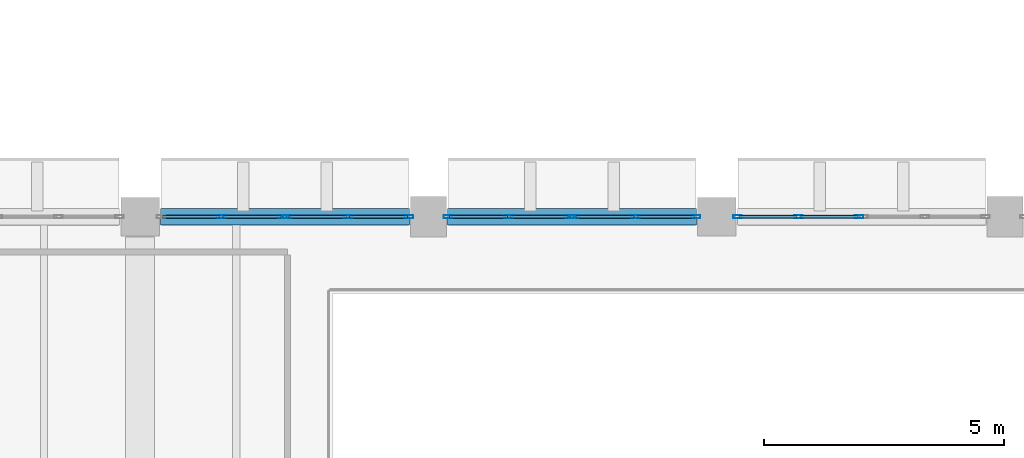
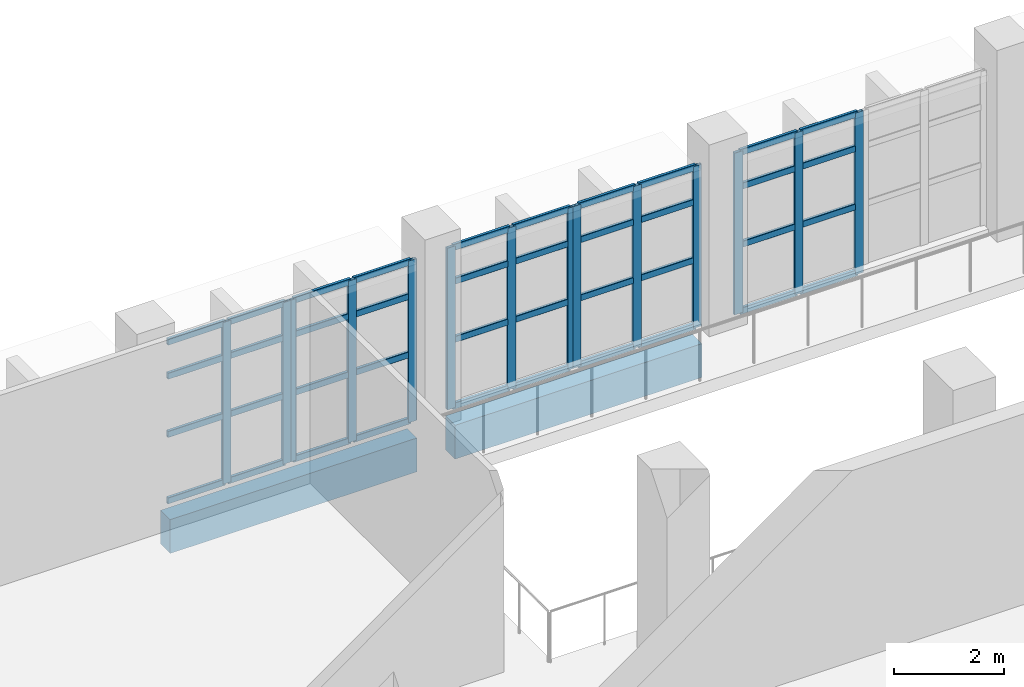
# One storey, part 38 of 76: 54 members, 2 beams, 5 elements without a shape of their own.
"""IFC4 building model written with IfcOpenShell, lengths in metres."""

import ifcopenshell
import ifcopenshell.guid

model = None  # the IFC model being written
_history = None  # IfcOwnerHistory: only IFC2X3 demands one
_inside = {}  # id of a spatial element -> (the spatial element, [elements in it])
_under = {}  # id of a project, library or spatial element -> (it, [spatial elements below it])
_declared = {}  # id of a project -> (the project, [libraries it declares])
_typed = {}  # id of a type object -> (the type object, [elements of that type])
_made_of = {}  # id of a material, layer set ... -> (it, [elements and type objects made of it])


def new_model(schema):
    """Start an empty IFC model of exactly this schema.

    Asked for "IFC4X3", IfcOpenShell would pick the latest addendum, in which some entities
    have other attributes; the version numbers below select the first issue.
    IFC2X3 requires an IfcOwnerHistory on every rooted entity: one is made here for all.
    """
    global model, _history
    if schema == "IFC4X3":
        model = ifcopenshell.file(schema_version=(4, 3, 0, 0))
    else:
        model = ifcopenshell.file(schema=schema)
    _inside.clear()
    _under.clear()
    _declared.clear()
    _typed.clear()
    _made_of.clear()
    _history = None
    if model.schema == "IFC2X3":
        org = make("IfcOrganization", Name="unknown")
        user = make(
            "IfcPersonAndOrganization",
            ThePerson=make("IfcPerson", FamilyName="unknown"),
            TheOrganization=org,
        )
        app = make(
            "IfcApplication",
            ApplicationDeveloper=org,
            Version="unknown",
            ApplicationFullName="unknown",
            ApplicationIdentifier="unknown",
        )
        _history = make(
            "IfcOwnerHistory",
            OwningUser=user,
            OwningApplication=app,
            ChangeAction="ADDED",
            CreationDate=0,
        )
    return model


def make(cls, **values):
    """One entity of the class cls with the attributes given. An attribute that is None is left unset."""
    return model.create_entity(
        cls, **{name: value for name, value in values.items() if value is not None}
    )


def rooted(cls, **values):
    """An entity with a GlobalId (a new one), such as an element, a storey or a relation."""
    return make(cls, GlobalId=ifcopenshell.guid.new(), OwnerHistory=_history, **values)


def si_unit(unit_type, name, prefix=None):
    """IfcSIUnit, for example si_unit("LENGTHUNIT", "METRE", prefix="MILLI")."""
    return make("IfcSIUnit", UnitType=unit_type, Prefix=prefix, Name=name)


def assignment(units):
    """IfcUnitAssignment: the units of a project."""
    return None if units is None else make("IfcUnitAssignment", Units=units)


def point(xyz):
    """IfcCartesianPoint."""
    return None if xyz is None else make("IfcCartesianPoint", Coordinates=xyz)


def direction(xyz):
    """IfcDirection."""
    return None if xyz is None else make("IfcDirection", DirectionRatios=xyz)


def frame(location, z_axis=None, x_axis=None):
    """IfcAxis2Placement3D, a coordinate frame: its origin and axes. An axis left out is left unset."""
    return make(
        "IfcAxis2Placement3D",
        Location=point(location),
        Axis=direction(z_axis),
        RefDirection=direction(x_axis),
    )


def frame_2d(location, x_axis=None):
    """IfcAxis2Placement2D, a coordinate frame in the plane: its origin and x axis."""
    return make(
        "IfcAxis2Placement2D", Location=point(location), RefDirection=direction(x_axis)
    )


def origin():
    """The frame at (0, 0, 0) with its axes left unset."""
    return frame((0.0, 0.0, 0.0))


def origin_2d():
    """The frame at (0, 0) in the plane with its x axis left unset."""
    return frame_2d((0.0, 0.0))


def place(relative_to, where):
    """IfcLocalPlacement: puts the frame where relative to a parent placement (None: the world)."""
    return make(
        "IfcLocalPlacement", PlacementRelTo=relative_to, RelativePlacement=where
    )


def context(
    kind, dimensions, precision=None, world=None, true_north=None, identifier=None
):
    """IfcGeometricRepresentationContext, for example the 3D "Model" context."""
    return make(
        "IfcGeometricRepresentationContext",
        ContextIdentifier=identifier,
        ContextType=kind,
        CoordinateSpaceDimension=dimensions,
        Precision=precision,
        WorldCoordinateSystem=world,
        TrueNorth=true_north,
    )


def subcontext(parent, identifier, kind, view, scale=None):
    """IfcGeometricRepresentationSubContext, for example "Body" below "Model"."""
    return make(
        "IfcGeometricRepresentationSubContext",
        ContextIdentifier=identifier,
        ContextType=kind,
        ParentContext=parent,
        TargetScale=scale,
        TargetView=view,
    )


def project(units=None, contexts=None):
    """IfcProject with its units and contexts."""
    return rooted(
        "IfcProject",
        Name="project",
        RepresentationContexts=contexts,
        UnitsInContext=assignment(units),
    )


def spatial(cls, under=None, at=None, **own):
    """A site, building, storey or space (cls), placed at a placement, below another one or the project."""
    s = rooted(cls, ObjectPlacement=at, **own)
    if under is not None:
        _under.setdefault(under.id(), (under, []))[1].append(s)
    return s


def profile(cls, at=None, kind="AREA", **sizes):
    """A parametric profile (cls). Its sizes go by their IFC names, for example OverallWidth=200.0."""
    return make(cls, ProfileType=kind, Position=at, **sizes)


def rectangle(**sizes):
    """IfcRectangleProfileDef."""
    return profile("IfcRectangleProfileDef", **sizes)


def hollow_rectangle(**sizes):
    """IfcRectangleHollowProfileDef."""
    return profile("IfcRectangleHollowProfileDef", **sizes)


def extrude(swept, where, along, depth):
    """IfcExtrudedAreaSolid: the profile swept, set in the frame where, extruded along a direction by depth."""
    return make(
        "IfcExtrudedAreaSolid",
        SweptArea=swept,
        Position=where,
        ExtrudedDirection=direction(along),
        Depth=depth,
    )


def shape(context_of_items, identifier, shape_type, items):
    """IfcShapeRepresentation: the items that make up one representation, for example the "Body"."""
    return make(
        "IfcShapeRepresentation",
        ContextOfItems=context_of_items,
        RepresentationIdentifier=identifier,
        RepresentationType=shape_type,
        Items=items,
    )


def material(Name=None, Category=None):
    """IfcMaterial."""
    return make("IfcMaterial", Name=Name, Category=Category)


def material_profile(
    of_material, cross_section, Name=None, Category=None, Priority=None
):
    """IfcMaterialProfile: a cross section and its material."""
    return make(
        "IfcMaterialProfile",
        Name=Name,
        Material=of_material,
        Profile=cross_section,
        Priority=Priority,
        Category=Category,
    )


def profile_set(profiles, Name=None, composite=None):
    """IfcMaterialProfileSet."""
    return make(
        "IfcMaterialProfileSet",
        Name=Name,
        MaterialProfiles=profiles,
        CompositeProfile=composite,
    )


def made_of(thing, what):
    """Note that an element or type object is made of a material, layer set ...; save() writes the relation."""
    if what is not None:
        _made_of.setdefault(what.id(), (what, []))[1].append(thing)
    return thing


def type_object(cls, material=None, **own):
    """A type object (cls), such as IfcWallType, which elements share."""
    return made_of(rooted(cls, **own), material)


def element(
    cls,
    number,
    at=None,
    inside=None,
    cuts=None,
    type_object=None,
    material=None,
    context=None,
    identifier="Body",
    shape_type=None,
    held_by="IfcProductDefinitionShape",
    body=None,
    shapes=None,
    **own,
):
    """One element of the class cls, such as IfcWall. Its Tag is "e" and its number.

    at: its placement. inside: the storey or other place that contains it. cuts: it is an
    opening in that element (IfcRelVoidsElement). A single representation is given by context,
    identifier, shape_type and body (its items); several are given by shapes. held_by: the class
    of the entity that holds the representations. save() writes the other relations.
    """
    e = rooted(cls, Tag="e%d" % number, ObjectPlacement=at, **own)
    if body is not None:
        shapes = [shape(context, identifier, shape_type, body)]
    if shapes is not None:
        e.Representation = make(held_by, Representations=shapes)
    if inside is not None:
        _inside.setdefault(inside.id(), (inside, []))[1].append(e)
    if cuts is not None:
        rooted(
            "IfcRelVoidsElement", RelatingBuildingElement=cuts, RelatedOpeningElement=e
        )
    if type_object is not None:
        _typed.setdefault(type_object.id(), (type_object, []))[1].append(e)
    return made_of(e, material)


def aggregate(whole, parts):
    """IfcRelAggregates: a whole, such as a stair, and the parts it consists of."""
    return rooted("IfcRelAggregates", RelatingObject=whole, RelatedObjects=parts)


def save(model, path):
    """Write the relations noted so far, then the file.

    IfcRelAggregates (storeys below a building ...), IfcRelContainedInSpatialStructure (elements
    in a storey), IfcRelDefinesByType, IfcRelAssociatesMaterial and IfcRelDeclares: one each for
    every whole, place, type object, material and project.
    """
    for whole, parts in _under.values():
        aggregate(whole, parts)
    for where, things in _inside.values():
        rooted(
            "IfcRelContainedInSpatialStructure",
            RelatedElements=things,
            RelatingStructure=where,
        )
    for kind, things in _typed.values():
        rooted("IfcRelDefinesByType", RelatedObjects=things, RelatingType=kind)
    for what, things in _made_of.values():
        rooted("IfcRelAssociatesMaterial", RelatedObjects=things, RelatingMaterial=what)
    for by, libraries in _declared.values():
        rooted("IfcRelDeclares", RelatingContext=by, RelatedDefinitions=libraries)
    model.write(path)


model = new_model("IFC4")

# Units and contexts
model_context = context("Model", 3, precision=1e-05, world=origin(), true_north=direction((0.0, 1.0)))
body_context = subcontext(model_context, "Body", "Model", "MODEL_VIEW")
ifc_project = project(units=[si_unit("LENGTHUNIT", "METRE"), si_unit("AREAUNIT", "SQUARE_METRE"), si_unit("VOLUMEUNIT", "CUBIC_METRE"), si_unit("PLANEANGLEUNIT", "RADIAN"), si_unit("MASSUNIT", "GRAM", prefix="KILO")], contexts=[model_context])

# Site, building, storey
site_placement = place(None, origin())
site = spatial("IfcSite", under=ifc_project, at=site_placement, CompositionType="ELEMENT")
building_placement = place(site_placement, origin())
building = spatial("IfcBuilding", under=site, at=building_placement, Name="Varnakota Cinema and Media Centre", CompositionType="ELEMENT")
storey_placement = place(building_placement, origin())
storey = spatial("IfcBuildingStorey", under=building, at=storey_placement, Name="L00", CompositionType="ELEMENT", Elevation=0.0)

# Beams
ifc_material_1 = material(Name="Concrete M40", Category="concrete")
ifc_material_profile_1 = material_profile(ifc_material_1, rectangle(XDim=0.35009765625, YDim=0.75, at=origin_2d()), Name="RCB 350x750")
ifc_profile_set_1 = profile_set([ifc_material_profile_1], Name="Concrete M40")
beam_type = type_object("IfcBeamType", Name="BM-SP-350x750", PredefinedType="SPANDREL", material=ifc_profile_set_1)
for number, where, z_axis, x_axis, name in (
    (1, (111.425048828125, 44.0, -0.655029296875), (1.0, 0.0, 0.0), (0.0, 1.0, 0.0), "L00 girder R-S/6"),
    (2, (117.39990234375, 44.0, -0.655029296875), (1.0, 0.0, 0.0), (0.0, 1.0, 0.0), "L00 girder S-T/6"),
):
    element("IfcBeam", number, at=place(storey_placement, frame(where, z_axis=z_axis, x_axis=x_axis)), inside=storey, type_object=beam_type, Name=name, PredefinedType="SPANDREL", context=body_context, shape_type="SweptSolid", body=[
        extrude(rectangle(XDim=0.35009765625, YDim=0.75, at=origin_2d()), origin(), (0.0, 0.0, 1.0), 5.175048828125),
    ])

# Curtain wall, members
ifc_material_2 = material(Name="Thermally broken anodised aluminium AW-6063", Category="aluminium")
curtain_wall_type = type_object("IfcCurtainWallType", Name="CW-STD-259x358", PredefinedType="USERDEFINED", material=ifc_material_2)
curtain_wall_1_placement = place(storey_placement, origin())
curtain_wall_1 = element("IfcCurtainWall", 3, at=curtain_wall_1_placement, inside=storey, type_object=curtain_wall_type, Name="L00 curtain wall CW-L00-V1-N-07-1", ObjectType="UNITISED CURTAIN WALL", PredefinedType="USERDEFINED")
ifc_material_3 = material(Name="Thermally broken anodised aluminium AW-6063", Category="aluminium")
ifc_material_profile_2 = material_profile(ifc_material_3, hollow_rectangle(XDim=0.06494140625, YDim=0.179931640625, WallThickness=0.00390625, InnerFilletRadius=0.00390625, OuterFilletRadius=0.008056640625, at=origin_2d()), Name="AL-MULLION 180x65x4")
ifc_profile_set_2 = profile_set([ifc_material_profile_2], Name="Thermally broken anodised aluminium AW-6063")
member_type_1 = type_object("IfcMemberType", Name="CWM-AL-180", PredefinedType="MULLION", material=ifc_profile_set_2)
member_1_placement = place(storey_placement, frame((112.6962890625, 44.0, 0.0), z_axis=(0.0, 0.0, 1.0), x_axis=(0.0, 1.0, 0.0)))
member_1 = element("IfcMember", 4, at=member_1_placement, type_object=member_type_1, Name="CW06 mullion 2", PredefinedType="MULLION", context=body_context, shape_type="SweptSolid", body=[
    extrude(hollow_rectangle(XDim=0.06494140625, YDim=0.179931640625, WallThickness=0.00390625, InnerFilletRadius=0.00390625, OuterFilletRadius=0.008056640625, at=origin_2d()), origin(), (0.0, 0.0, 1.0), 3.5849609375),
])
member_2_placement = place(storey_placement, frame((113.9599609375, 44.0, 0.0), z_axis=(0.0, 0.0, 1.0), x_axis=(0.0, 1.0, 0.0)))
member_2 = element("IfcMember", 5, at=member_2_placement, type_object=member_type_1, Name="CW06 mullion 3", PredefinedType="MULLION", context=body_context, shape_type="SweptSolid", body=[
    extrude(hollow_rectangle(XDim=0.06494140625, YDim=0.179931640625, WallThickness=0.00390625, InnerFilletRadius=0.00390625, OuterFilletRadius=0.008056640625, at=origin_2d()), origin(), (0.0, 0.0, 1.0), 3.5849609375),
])

curtain_wall_2_placement = place(storey_placement, origin())
curtain_wall_2 = element("IfcCurtainWall", 6, at=curtain_wall_2_placement, inside=storey, type_object=curtain_wall_type, Name="L00 curtain wall CW-L00-V1-N-07-2", ObjectType="UNITISED CURTAIN WALL", PredefinedType="USERDEFINED")
member_3_placement = place(storey_placement, frame((114.06494140625, 44.0, 0.0), z_axis=(0.0, 0.0, 1.0), x_axis=(0.0, 1.0, 0.0)))
member_3 = element("IfcMember", 7, at=member_3_placement, type_object=member_type_1, Name="CW06 mullion 1", PredefinedType="MULLION", context=body_context, shape_type="SweptSolid", body=[
    extrude(hollow_rectangle(XDim=0.06494140625, YDim=0.179931640625, WallThickness=0.00390625, InnerFilletRadius=0.00390625, OuterFilletRadius=0.008056640625, at=origin_2d()), origin(), (0.0, 0.0, 1.0), 3.5849609375),
])
member_4_placement = place(storey_placement, frame((115.328857421875, 44.0, 0.0), z_axis=(0.0, 0.0, 1.0), x_axis=(0.0, 1.0, 0.0)))
member_4 = element("IfcMember", 8, at=member_4_placement, type_object=member_type_1, Name="CW06 mullion 2", PredefinedType="MULLION", context=body_context, shape_type="SweptSolid", body=[
    extrude(hollow_rectangle(XDim=0.06494140625, YDim=0.179931640625, WallThickness=0.00390625, InnerFilletRadius=0.00390625, OuterFilletRadius=0.008056640625, at=origin_2d()), origin(), (0.0, 0.0, 1.0), 3.5849609375),
])
member_5_placement = place(storey_placement, frame((116.592529296875, 44.0, 0.0), z_axis=(0.0, 0.0, 1.0), x_axis=(0.0, 1.0, 0.0)))
member_5 = element("IfcMember", 9, at=member_5_placement, type_object=member_type_1, Name="CW06 mullion 3", PredefinedType="MULLION", context=body_context, shape_type="SweptSolid", body=[
    extrude(hollow_rectangle(XDim=0.06494140625, YDim=0.179931640625, WallThickness=0.00390625, InnerFilletRadius=0.00390625, OuterFilletRadius=0.008056640625, at=origin_2d()), origin(), (0.0, 0.0, 1.0), 3.5849609375),
])

curtain_wall_3_placement = place(storey_placement, origin())
curtain_wall_3 = element("IfcCurtainWall", 10, at=curtain_wall_3_placement, inside=storey, type_object=curtain_wall_type, Name="L00 curtain wall CW-L00-V1-N-08-1", ObjectType="UNITISED CURTAIN WALL", PredefinedType="USERDEFINED")
member_6_placement = place(storey_placement, frame((117.407470703125, 44.0, 0.0), z_axis=(0.0, 0.0, 1.0), x_axis=(0.0, 1.0, 0.0)))
member_6 = element("IfcMember", 11, at=member_6_placement, type_object=member_type_1, Name="CW06 mullion 1", PredefinedType="MULLION", context=body_context, shape_type="SweptSolid", body=[
    extrude(hollow_rectangle(XDim=0.06494140625, YDim=0.179931640625, WallThickness=0.00390625, InnerFilletRadius=0.00390625, OuterFilletRadius=0.008056640625, at=origin_2d()), origin(), (0.0, 0.0, 1.0), 3.5849609375),
])
member_7_placement = place(storey_placement, frame((118.671142578125, 44.0, 0.0), z_axis=(0.0, 0.0, 1.0), x_axis=(0.0, 1.0, 0.0)))
member_7 = element("IfcMember", 12, at=member_7_placement, type_object=member_type_1, Name="CW06 mullion 2", PredefinedType="MULLION", context=body_context, shape_type="SweptSolid", body=[
    extrude(hollow_rectangle(XDim=0.06494140625, YDim=0.179931640625, WallThickness=0.00390625, InnerFilletRadius=0.00390625, OuterFilletRadius=0.008056640625, at=origin_2d()), origin(), (0.0, 0.0, 1.0), 3.5849609375),
])
member_8_placement = place(storey_placement, frame((119.93505859375, 44.0, 0.0), z_axis=(0.0, 0.0, 1.0), x_axis=(0.0, 1.0, 0.0)))
member_8 = element("IfcMember", 13, at=member_8_placement, type_object=member_type_1, Name="CW06 mullion 3", PredefinedType="MULLION", context=body_context, shape_type="SweptSolid", body=[
    extrude(hollow_rectangle(XDim=0.06494140625, YDim=0.179931640625, WallThickness=0.00390625, InnerFilletRadius=0.00390625, OuterFilletRadius=0.008056640625, at=origin_2d()), origin(), (0.0, 0.0, 1.0), 3.5849609375),
])

curtain_wall_4_placement = place(storey_placement, origin())
curtain_wall_4 = element("IfcCurtainWall", 14, at=curtain_wall_4_placement, inside=storey, type_object=curtain_wall_type, Name="L00 curtain wall CW-L00-V1-N-08-2", ObjectType="UNITISED CURTAIN WALL", PredefinedType="USERDEFINED")
member_9_placement = place(storey_placement, frame((120.0400390625, 44.0, 0.0), z_axis=(0.0, 0.0, 1.0), x_axis=(0.0, 1.0, 0.0)))
member_9 = element("IfcMember", 15, at=member_9_placement, type_object=member_type_1, Name="CW06 mullion 1", PredefinedType="MULLION", context=body_context, shape_type="SweptSolid", body=[
    extrude(hollow_rectangle(XDim=0.06494140625, YDim=0.179931640625, WallThickness=0.00390625, InnerFilletRadius=0.00390625, OuterFilletRadius=0.008056640625, at=origin_2d()), origin(), (0.0, 0.0, 1.0), 3.5849609375),
])
member_10_placement = place(storey_placement, frame((121.3037109375, 44.0, 0.0), z_axis=(0.0, 0.0, 1.0), x_axis=(0.0, 1.0, 0.0)))
member_10 = element("IfcMember", 16, at=member_10_placement, type_object=member_type_1, Name="CW06 mullion 2", PredefinedType="MULLION", context=body_context, shape_type="SweptSolid", body=[
    extrude(hollow_rectangle(XDim=0.06494140625, YDim=0.179931640625, WallThickness=0.00390625, InnerFilletRadius=0.00390625, OuterFilletRadius=0.008056640625, at=origin_2d()), origin(), (0.0, 0.0, 1.0), 3.5849609375),
])
member_11_placement = place(storey_placement, frame((122.5673828125, 44.0, 0.0), z_axis=(0.0, 0.0, 1.0), x_axis=(0.0, 1.0, 0.0)))
member_11 = element("IfcMember", 17, at=member_11_placement, type_object=member_type_1, Name="CW06 mullion 3", PredefinedType="MULLION", context=body_context, shape_type="SweptSolid", body=[
    extrude(hollow_rectangle(XDim=0.06494140625, YDim=0.179931640625, WallThickness=0.00390625, InnerFilletRadius=0.00390625, OuterFilletRadius=0.008056640625, at=origin_2d()), origin(), (0.0, 0.0, 1.0), 3.5849609375),
])

curtain_wall_5_placement = place(storey_placement, origin())
curtain_wall_5 = element("IfcCurtainWall", 18, at=curtain_wall_5_placement, inside=storey, type_object=curtain_wall_type, Name="L00 curtain wall CW-L00-V1-N-09-1", ObjectType="UNITISED CURTAIN WALL", PredefinedType="USERDEFINED")
member_12_placement = place(storey_placement, frame((123.4326171875, 44.0, 0.0), z_axis=(0.0, 0.0, 1.0), x_axis=(0.0, 1.0, 0.0)))
member_12 = element("IfcMember", 19, at=member_12_placement, type_object=member_type_1, Name="CW06 mullion 1", PredefinedType="MULLION", context=body_context, shape_type="SweptSolid", body=[
    extrude(hollow_rectangle(XDim=0.06494140625, YDim=0.179931640625, WallThickness=0.00390625, InnerFilletRadius=0.00390625, OuterFilletRadius=0.008056640625, at=origin_2d()), origin(), (0.0, 0.0, 1.0), 3.5849609375),
])
member_13_placement = place(storey_placement, frame((124.6962890625, 44.0, 0.0), z_axis=(0.0, 0.0, 1.0), x_axis=(0.0, 1.0, 0.0)))
member_13 = element("IfcMember", 20, at=member_13_placement, type_object=member_type_1, Name="CW06 mullion 2", PredefinedType="MULLION", context=body_context, shape_type="SweptSolid", body=[
    extrude(hollow_rectangle(XDim=0.06494140625, YDim=0.179931640625, WallThickness=0.00390625, InnerFilletRadius=0.00390625, OuterFilletRadius=0.008056640625, at=origin_2d()), origin(), (0.0, 0.0, 1.0), 3.5849609375),
])
member_14_placement = place(storey_placement, frame((125.9599609375, 44.0, 0.0), z_axis=(0.0, 0.0, 1.0), x_axis=(0.0, 1.0, 0.0)))
member_14 = element("IfcMember", 21, at=member_14_placement, type_object=member_type_1, Name="CW06 mullion 3", PredefinedType="MULLION", context=body_context, shape_type="SweptSolid", body=[
    extrude(hollow_rectangle(XDim=0.06494140625, YDim=0.179931640625, WallThickness=0.00390625, InnerFilletRadius=0.00390625, OuterFilletRadius=0.008056640625, at=origin_2d()), origin(), (0.0, 0.0, 1.0), 3.5849609375),
])

# Member
ifc_material_4 = material(Name="Thermally broken anodised aluminium AW-6063", Category="aluminium")
ifc_material_profile_3 = material_profile(ifc_material_4, hollow_rectangle(XDim=0.06494140625, YDim=0.139892578125, WallThickness=0.00390625, InnerFilletRadius=0.00390625, OuterFilletRadius=0.008056640625, at=origin_2d()), Name="AL-TRANSOM 140x65x4")
ifc_profile_set_3 = profile_set([ifc_material_profile_3], Name="Thermally broken anodised aluminium AW-6063")
member_type_2 = type_object("IfcMemberType", Name="CWT-AL-140", PredefinedType="USERDEFINED", material=ifc_profile_set_3)
member_15_placement = place(storey_placement, frame((111.465087890625, 44.0, 0.032470703125), z_axis=(1.0, 0.0, 0.0), x_axis=(0.0, 1.0, 0.0)))
member_15 = element("IfcMember", 22, at=member_15_placement, type_object=member_type_2, Name="CW06 transom 1.1", ObjectType="TRANSOM", PredefinedType="USERDEFINED", context=body_context, shape_type="SweptSolid", body=[
    extrude(hollow_rectangle(XDim=0.06494140625, YDim=0.139892578125, WallThickness=0.00390625, InnerFilletRadius=0.00390625, OuterFilletRadius=0.008056640625, at=origin_2d()), origin(), (0.0, 0.0, 1.0), 1.19873046875),
])

member_16_placement = place(storey_placement, frame((111.465087890625, 44.0, 1.505615234375), z_axis=(1.0, 0.0, 0.0), x_axis=(0.0, 1.0, 0.0)))
member_16 = element("IfcMember", 23, at=member_16_placement, type_object=member_type_2, Name="CW06 transom 1.2", ObjectType="TRANSOM", PredefinedType="USERDEFINED", context=body_context, shape_type="SweptSolid", body=[
    extrude(hollow_rectangle(XDim=0.06494140625, YDim=0.139892578125, WallThickness=0.00390625, InnerFilletRadius=0.00390625, OuterFilletRadius=0.008056640625, at=origin_2d()), origin(), (0.0, 0.0, 1.0), 1.19873046875),
])

member_17_placement = place(storey_placement, frame((111.465087890625, 44.0, 2.79638671875), z_axis=(1.0, 0.0, 0.0), x_axis=(0.0, 1.0, 0.0)))
member_17 = element("IfcMember", 24, at=member_17_placement, type_object=member_type_2, Name="CW06 transom 1.3", ObjectType="TRANSOM", PredefinedType="USERDEFINED", context=body_context, shape_type="SweptSolid", body=[
    extrude(hollow_rectangle(XDim=0.06494140625, YDim=0.139892578125, WallThickness=0.00390625, InnerFilletRadius=0.00390625, OuterFilletRadius=0.008056640625, at=origin_2d()), origin(), (0.0, 0.0, 1.0), 1.19873046875),
])

member_18_placement = place(storey_placement, frame((111.465087890625, 44.0, 3.552490234375), z_axis=(1.0, 0.0, 0.0), x_axis=(0.0, 1.0, 0.0)))
member_18 = element("IfcMember", 25, at=member_18_placement, type_object=member_type_2, Name="CW06 transom 1.4", ObjectType="TRANSOM", PredefinedType="USERDEFINED", context=body_context, shape_type="SweptSolid", body=[
    extrude(hollow_rectangle(XDim=0.06494140625, YDim=0.139892578125, WallThickness=0.00390625, InnerFilletRadius=0.00390625, OuterFilletRadius=0.008056640625, at=origin_2d()), origin(), (0.0, 0.0, 1.0), 1.19873046875),
])

member_19_placement = place(storey_placement, frame((112.728759765625, 44.0, 0.032470703125), z_axis=(1.0, 0.0, 0.0), x_axis=(0.0, 1.0, 0.0)))
member_19 = element("IfcMember", 26, at=member_19_placement, type_object=member_type_2, Name="CW06 transom 2.1", ObjectType="TRANSOM", PredefinedType="USERDEFINED", context=body_context, shape_type="SweptSolid", body=[
    extrude(hollow_rectangle(XDim=0.06494140625, YDim=0.139892578125, WallThickness=0.00390625, InnerFilletRadius=0.00390625, OuterFilletRadius=0.008056640625, at=origin_2d()), origin(), (0.0, 0.0, 1.0), 1.19873046875),
])

member_20_placement = place(storey_placement, frame((112.728759765625, 44.0, 1.505615234375), z_axis=(1.0, 0.0, 0.0), x_axis=(0.0, 1.0, 0.0)))
member_20 = element("IfcMember", 27, at=member_20_placement, type_object=member_type_2, Name="CW06 transom 2.2", ObjectType="TRANSOM", PredefinedType="USERDEFINED", context=body_context, shape_type="SweptSolid", body=[
    extrude(hollow_rectangle(XDim=0.06494140625, YDim=0.139892578125, WallThickness=0.00390625, InnerFilletRadius=0.00390625, OuterFilletRadius=0.008056640625, at=origin_2d()), origin(), (0.0, 0.0, 1.0), 1.19873046875),
])

member_21_placement = place(storey_placement, frame((112.728759765625, 44.0, 2.79638671875), z_axis=(1.0, 0.0, 0.0), x_axis=(0.0, 1.0, 0.0)))
member_21 = element("IfcMember", 28, at=member_21_placement, type_object=member_type_2, Name="CW06 transom 2.3", ObjectType="TRANSOM", PredefinedType="USERDEFINED", context=body_context, shape_type="SweptSolid", body=[
    extrude(hollow_rectangle(XDim=0.06494140625, YDim=0.139892578125, WallThickness=0.00390625, InnerFilletRadius=0.00390625, OuterFilletRadius=0.008056640625, at=origin_2d()), origin(), (0.0, 0.0, 1.0), 1.19873046875),
])

member_22_placement = place(storey_placement, frame((112.728759765625, 44.0, 3.552490234375), z_axis=(1.0, 0.0, 0.0), x_axis=(0.0, 1.0, 0.0)))
member_22 = element("IfcMember", 29, at=member_22_placement, type_object=member_type_2, Name="CW06 transom 2.4", ObjectType="TRANSOM", PredefinedType="USERDEFINED", context=body_context, shape_type="SweptSolid", body=[
    extrude(hollow_rectangle(XDim=0.06494140625, YDim=0.139892578125, WallThickness=0.00390625, InnerFilletRadius=0.00390625, OuterFilletRadius=0.008056640625, at=origin_2d()), origin(), (0.0, 0.0, 1.0), 1.19873046875),
])

aggregate(curtain_wall_1, [member_1, member_2, member_15, member_16, member_17, member_18, member_19, member_20, member_21, member_22])

member_23_placement = place(storey_placement, frame((114.097412109375, 44.0, 0.032470703125), z_axis=(1.0, 0.0, 0.0), x_axis=(0.0, 1.0, 0.0)))
member_23 = element("IfcMember", 30, at=member_23_placement, type_object=member_type_2, Name="CW06 transom 1.1", ObjectType="TRANSOM", PredefinedType="USERDEFINED", context=body_context, shape_type="SweptSolid", body=[
    extrude(hollow_rectangle(XDim=0.06494140625, YDim=0.139892578125, WallThickness=0.00390625, InnerFilletRadius=0.00390625, OuterFilletRadius=0.008056640625, at=origin_2d()), origin(), (0.0, 0.0, 1.0), 1.19873046875),
])

member_24_placement = place(storey_placement, frame((114.097412109375, 44.0, 1.505615234375), z_axis=(1.0, 0.0, 0.0), x_axis=(0.0, 1.0, 0.0)))
member_24 = element("IfcMember", 31, at=member_24_placement, type_object=member_type_2, Name="CW06 transom 1.2", ObjectType="TRANSOM", PredefinedType="USERDEFINED", context=body_context, shape_type="SweptSolid", body=[
    extrude(hollow_rectangle(XDim=0.06494140625, YDim=0.139892578125, WallThickness=0.00390625, InnerFilletRadius=0.00390625, OuterFilletRadius=0.008056640625, at=origin_2d()), origin(), (0.0, 0.0, 1.0), 1.19873046875),
])

member_25_placement = place(storey_placement, frame((114.097412109375, 44.0, 2.79638671875), z_axis=(1.0, 0.0, 0.0), x_axis=(0.0, 1.0, 0.0)))
member_25 = element("IfcMember", 32, at=member_25_placement, type_object=member_type_2, Name="CW06 transom 1.3", ObjectType="TRANSOM", PredefinedType="USERDEFINED", context=body_context, shape_type="SweptSolid", body=[
    extrude(hollow_rectangle(XDim=0.06494140625, YDim=0.139892578125, WallThickness=0.00390625, InnerFilletRadius=0.00390625, OuterFilletRadius=0.008056640625, at=origin_2d()), origin(), (0.0, 0.0, 1.0), 1.19873046875),
])

member_26_placement = place(storey_placement, frame((114.097412109375, 44.0, 3.552490234375), z_axis=(1.0, 0.0, 0.0), x_axis=(0.0, 1.0, 0.0)))
member_26 = element("IfcMember", 33, at=member_26_placement, type_object=member_type_2, Name="CW06 transom 1.4", ObjectType="TRANSOM", PredefinedType="USERDEFINED", context=body_context, shape_type="SweptSolid", body=[
    extrude(hollow_rectangle(XDim=0.06494140625, YDim=0.139892578125, WallThickness=0.00390625, InnerFilletRadius=0.00390625, OuterFilletRadius=0.008056640625, at=origin_2d()), origin(), (0.0, 0.0, 1.0), 1.19873046875),
])

member_27_placement = place(storey_placement, frame((115.361328125, 44.0, 0.032470703125), z_axis=(1.0, 0.0, 0.0), x_axis=(0.0, 1.0, 0.0)))
member_27 = element("IfcMember", 34, at=member_27_placement, type_object=member_type_2, Name="CW06 transom 2.1", ObjectType="TRANSOM", PredefinedType="USERDEFINED", context=body_context, shape_type="SweptSolid", body=[
    extrude(hollow_rectangle(XDim=0.06494140625, YDim=0.139892578125, WallThickness=0.00390625, InnerFilletRadius=0.00390625, OuterFilletRadius=0.008056640625, at=origin_2d()), origin(), (0.0, 0.0, 1.0), 1.19873046875),
])

member_28_placement = place(storey_placement, frame((115.361328125, 44.0, 1.505615234375), z_axis=(1.0, 0.0, 0.0), x_axis=(0.0, 1.0, 0.0)))
member_28 = element("IfcMember", 35, at=member_28_placement, type_object=member_type_2, Name="CW06 transom 2.2", ObjectType="TRANSOM", PredefinedType="USERDEFINED", context=body_context, shape_type="SweptSolid", body=[
    extrude(hollow_rectangle(XDim=0.06494140625, YDim=0.139892578125, WallThickness=0.00390625, InnerFilletRadius=0.00390625, OuterFilletRadius=0.008056640625, at=origin_2d()), origin(), (0.0, 0.0, 1.0), 1.19873046875),
])

member_29_placement = place(storey_placement, frame((115.361328125, 44.0, 2.79638671875), z_axis=(1.0, 0.0, 0.0), x_axis=(0.0, 1.0, 0.0)))
member_29 = element("IfcMember", 36, at=member_29_placement, type_object=member_type_2, Name="CW06 transom 2.3", ObjectType="TRANSOM", PredefinedType="USERDEFINED", context=body_context, shape_type="SweptSolid", body=[
    extrude(hollow_rectangle(XDim=0.06494140625, YDim=0.139892578125, WallThickness=0.00390625, InnerFilletRadius=0.00390625, OuterFilletRadius=0.008056640625, at=origin_2d()), origin(), (0.0, 0.0, 1.0), 1.19873046875),
])

member_30_placement = place(storey_placement, frame((115.361328125, 44.0, 3.552490234375), z_axis=(1.0, 0.0, 0.0), x_axis=(0.0, 1.0, 0.0)))
member_30 = element("IfcMember", 37, at=member_30_placement, type_object=member_type_2, Name="CW06 transom 2.4", ObjectType="TRANSOM", PredefinedType="USERDEFINED", context=body_context, shape_type="SweptSolid", body=[
    extrude(hollow_rectangle(XDim=0.06494140625, YDim=0.139892578125, WallThickness=0.00390625, InnerFilletRadius=0.00390625, OuterFilletRadius=0.008056640625, at=origin_2d()), origin(), (0.0, 0.0, 1.0), 1.19873046875),
])

aggregate(curtain_wall_2, [member_3, member_4, member_5, member_23, member_24, member_25, member_26, member_27, member_28, member_29, member_30])

member_31_placement = place(storey_placement, frame((117.43994140625, 44.0, 0.032470703125), z_axis=(1.0, 0.0, 0.0), x_axis=(0.0, 1.0, 0.0)))
member_31 = element("IfcMember", 38, at=member_31_placement, type_object=member_type_2, Name="CW06 transom 1.1", ObjectType="TRANSOM", PredefinedType="USERDEFINED", context=body_context, shape_type="SweptSolid", body=[
    extrude(hollow_rectangle(XDim=0.06494140625, YDim=0.139892578125, WallThickness=0.00390625, InnerFilletRadius=0.00390625, OuterFilletRadius=0.008056640625, at=origin_2d()), origin(), (0.0, 0.0, 1.0), 1.19873046875),
])

member_32_placement = place(storey_placement, frame((117.43994140625, 44.0, 1.505615234375), z_axis=(1.0, 0.0, 0.0), x_axis=(0.0, 1.0, 0.0)))
member_32 = element("IfcMember", 39, at=member_32_placement, type_object=member_type_2, Name="CW06 transom 1.2", ObjectType="TRANSOM", PredefinedType="USERDEFINED", context=body_context, shape_type="SweptSolid", body=[
    extrude(hollow_rectangle(XDim=0.06494140625, YDim=0.139892578125, WallThickness=0.00390625, InnerFilletRadius=0.00390625, OuterFilletRadius=0.008056640625, at=origin_2d()), origin(), (0.0, 0.0, 1.0), 1.19873046875),
])

member_33_placement = place(storey_placement, frame((117.43994140625, 44.0, 2.79638671875), z_axis=(1.0, 0.0, 0.0), x_axis=(0.0, 1.0, 0.0)))
member_33 = element("IfcMember", 40, at=member_33_placement, type_object=member_type_2, Name="CW06 transom 1.3", ObjectType="TRANSOM", PredefinedType="USERDEFINED", context=body_context, shape_type="SweptSolid", body=[
    extrude(hollow_rectangle(XDim=0.06494140625, YDim=0.139892578125, WallThickness=0.00390625, InnerFilletRadius=0.00390625, OuterFilletRadius=0.008056640625, at=origin_2d()), origin(), (0.0, 0.0, 1.0), 1.19873046875),
])

member_34_placement = place(storey_placement, frame((117.43994140625, 44.0, 3.552490234375), z_axis=(1.0, 0.0, 0.0), x_axis=(0.0, 1.0, 0.0)))
member_34 = element("IfcMember", 41, at=member_34_placement, type_object=member_type_2, Name="CW06 transom 1.4", ObjectType="TRANSOM", PredefinedType="USERDEFINED", context=body_context, shape_type="SweptSolid", body=[
    extrude(hollow_rectangle(XDim=0.06494140625, YDim=0.139892578125, WallThickness=0.00390625, InnerFilletRadius=0.00390625, OuterFilletRadius=0.008056640625, at=origin_2d()), origin(), (0.0, 0.0, 1.0), 1.19873046875),
])

member_35_placement = place(storey_placement, frame((118.703857421875, 44.0, 0.032470703125), z_axis=(1.0, 0.0, 0.0), x_axis=(0.0, 1.0, 0.0)))
member_35 = element("IfcMember", 42, at=member_35_placement, type_object=member_type_2, Name="CW06 transom 2.1", ObjectType="TRANSOM", PredefinedType="USERDEFINED", context=body_context, shape_type="SweptSolid", body=[
    extrude(hollow_rectangle(XDim=0.06494140625, YDim=0.139892578125, WallThickness=0.00390625, InnerFilletRadius=0.00390625, OuterFilletRadius=0.008056640625, at=origin_2d()), origin(), (0.0, 0.0, 1.0), 1.19873046875),
])

member_36_placement = place(storey_placement, frame((118.703857421875, 44.0, 1.505615234375), z_axis=(1.0, 0.0, 0.0), x_axis=(0.0, 1.0, 0.0)))
member_36 = element("IfcMember", 43, at=member_36_placement, type_object=member_type_2, Name="CW06 transom 2.2", ObjectType="TRANSOM", PredefinedType="USERDEFINED", context=body_context, shape_type="SweptSolid", body=[
    extrude(hollow_rectangle(XDim=0.06494140625, YDim=0.139892578125, WallThickness=0.00390625, InnerFilletRadius=0.00390625, OuterFilletRadius=0.008056640625, at=origin_2d()), origin(), (0.0, 0.0, 1.0), 1.19873046875),
])

member_37_placement = place(storey_placement, frame((118.703857421875, 44.0, 2.79638671875), z_axis=(1.0, 0.0, 0.0), x_axis=(0.0, 1.0, 0.0)))
member_37 = element("IfcMember", 44, at=member_37_placement, type_object=member_type_2, Name="CW06 transom 2.3", ObjectType="TRANSOM", PredefinedType="USERDEFINED", context=body_context, shape_type="SweptSolid", body=[
    extrude(hollow_rectangle(XDim=0.06494140625, YDim=0.139892578125, WallThickness=0.00390625, InnerFilletRadius=0.00390625, OuterFilletRadius=0.008056640625, at=origin_2d()), origin(), (0.0, 0.0, 1.0), 1.19873046875),
])

member_38_placement = place(storey_placement, frame((118.703857421875, 44.0, 3.552490234375), z_axis=(1.0, 0.0, 0.0), x_axis=(0.0, 1.0, 0.0)))
member_38 = element("IfcMember", 45, at=member_38_placement, type_object=member_type_2, Name="CW06 transom 2.4", ObjectType="TRANSOM", PredefinedType="USERDEFINED", context=body_context, shape_type="SweptSolid", body=[
    extrude(hollow_rectangle(XDim=0.06494140625, YDim=0.139892578125, WallThickness=0.00390625, InnerFilletRadius=0.00390625, OuterFilletRadius=0.008056640625, at=origin_2d()), origin(), (0.0, 0.0, 1.0), 1.19873046875),
])

aggregate(curtain_wall_3, [member_6, member_7, member_8, member_31, member_32, member_33, member_34, member_35, member_36, member_37, member_38])

member_39_placement = place(storey_placement, frame((120.072509765625, 44.0, 0.032470703125), z_axis=(1.0, 0.0, 0.0), x_axis=(0.0, 1.0, 0.0)))
member_39 = element("IfcMember", 46, at=member_39_placement, type_object=member_type_2, Name="CW06 transom 1.1", ObjectType="TRANSOM", PredefinedType="USERDEFINED", context=body_context, shape_type="SweptSolid", body=[
    extrude(hollow_rectangle(XDim=0.06494140625, YDim=0.139892578125, WallThickness=0.00390625, InnerFilletRadius=0.00390625, OuterFilletRadius=0.008056640625, at=origin_2d()), origin(), (0.0, 0.0, 1.0), 1.19873046875),
])

member_40_placement = place(storey_placement, frame((120.072509765625, 44.0, 1.505615234375), z_axis=(1.0, 0.0, 0.0), x_axis=(0.0, 1.0, 0.0)))
member_40 = element("IfcMember", 47, at=member_40_placement, type_object=member_type_2, Name="CW06 transom 1.2", ObjectType="TRANSOM", PredefinedType="USERDEFINED", context=body_context, shape_type="SweptSolid", body=[
    extrude(hollow_rectangle(XDim=0.06494140625, YDim=0.139892578125, WallThickness=0.00390625, InnerFilletRadius=0.00390625, OuterFilletRadius=0.008056640625, at=origin_2d()), origin(), (0.0, 0.0, 1.0), 1.19873046875),
])

member_41_placement = place(storey_placement, frame((120.072509765625, 44.0, 2.79638671875), z_axis=(1.0, 0.0, 0.0), x_axis=(0.0, 1.0, 0.0)))
member_41 = element("IfcMember", 48, at=member_41_placement, type_object=member_type_2, Name="CW06 transom 1.3", ObjectType="TRANSOM", PredefinedType="USERDEFINED", context=body_context, shape_type="SweptSolid", body=[
    extrude(hollow_rectangle(XDim=0.06494140625, YDim=0.139892578125, WallThickness=0.00390625, InnerFilletRadius=0.00390625, OuterFilletRadius=0.008056640625, at=origin_2d()), origin(), (0.0, 0.0, 1.0), 1.19873046875),
])

member_42_placement = place(storey_placement, frame((120.072509765625, 44.0, 3.552490234375), z_axis=(1.0, 0.0, 0.0), x_axis=(0.0, 1.0, 0.0)))
member_42 = element("IfcMember", 49, at=member_42_placement, type_object=member_type_2, Name="CW06 transom 1.4", ObjectType="TRANSOM", PredefinedType="USERDEFINED", context=body_context, shape_type="SweptSolid", body=[
    extrude(hollow_rectangle(XDim=0.06494140625, YDim=0.139892578125, WallThickness=0.00390625, InnerFilletRadius=0.00390625, OuterFilletRadius=0.008056640625, at=origin_2d()), origin(), (0.0, 0.0, 1.0), 1.19873046875),
])

member_43_placement = place(storey_placement, frame((121.336181640625, 44.0, 0.032470703125), z_axis=(1.0, 0.0, 0.0), x_axis=(0.0, 1.0, 0.0)))
member_43 = element("IfcMember", 50, at=member_43_placement, type_object=member_type_2, Name="CW06 transom 2.1", ObjectType="TRANSOM", PredefinedType="USERDEFINED", context=body_context, shape_type="SweptSolid", body=[
    extrude(hollow_rectangle(XDim=0.06494140625, YDim=0.139892578125, WallThickness=0.00390625, InnerFilletRadius=0.00390625, OuterFilletRadius=0.008056640625, at=origin_2d()), origin(), (0.0, 0.0, 1.0), 1.19873046875),
])

member_44_placement = place(storey_placement, frame((121.336181640625, 44.0, 1.505615234375), z_axis=(1.0, 0.0, 0.0), x_axis=(0.0, 1.0, 0.0)))
member_44 = element("IfcMember", 51, at=member_44_placement, type_object=member_type_2, Name="CW06 transom 2.2", ObjectType="TRANSOM", PredefinedType="USERDEFINED", context=body_context, shape_type="SweptSolid", body=[
    extrude(hollow_rectangle(XDim=0.06494140625, YDim=0.139892578125, WallThickness=0.00390625, InnerFilletRadius=0.00390625, OuterFilletRadius=0.008056640625, at=origin_2d()), origin(), (0.0, 0.0, 1.0), 1.19873046875),
])

member_45_placement = place(storey_placement, frame((121.336181640625, 44.0, 2.79638671875), z_axis=(1.0, 0.0, 0.0), x_axis=(0.0, 1.0, 0.0)))
member_45 = element("IfcMember", 52, at=member_45_placement, type_object=member_type_2, Name="CW06 transom 2.3", ObjectType="TRANSOM", PredefinedType="USERDEFINED", context=body_context, shape_type="SweptSolid", body=[
    extrude(hollow_rectangle(XDim=0.06494140625, YDim=0.139892578125, WallThickness=0.00390625, InnerFilletRadius=0.00390625, OuterFilletRadius=0.008056640625, at=origin_2d()), origin(), (0.0, 0.0, 1.0), 1.19873046875),
])

member_46_placement = place(storey_placement, frame((121.336181640625, 44.0, 3.552490234375), z_axis=(1.0, 0.0, 0.0), x_axis=(0.0, 1.0, 0.0)))
member_46 = element("IfcMember", 53, at=member_46_placement, type_object=member_type_2, Name="CW06 transom 2.4", ObjectType="TRANSOM", PredefinedType="USERDEFINED", context=body_context, shape_type="SweptSolid", body=[
    extrude(hollow_rectangle(XDim=0.06494140625, YDim=0.139892578125, WallThickness=0.00390625, InnerFilletRadius=0.00390625, OuterFilletRadius=0.008056640625, at=origin_2d()), origin(), (0.0, 0.0, 1.0), 1.19873046875),
])

aggregate(curtain_wall_4, [member_9, member_10, member_11, member_39, member_40, member_41, member_42, member_43, member_44, member_45, member_46])

member_47_placement = place(storey_placement, frame((123.465087890625, 44.0, 0.032470703125), z_axis=(1.0, 0.0, 0.0), x_axis=(0.0, 1.0, 0.0)))
member_47 = element("IfcMember", 54, at=member_47_placement, type_object=member_type_2, Name="CW06 transom 1.1", ObjectType="TRANSOM", PredefinedType="USERDEFINED", context=body_context, shape_type="SweptSolid", body=[
    extrude(hollow_rectangle(XDim=0.06494140625, YDim=0.139892578125, WallThickness=0.00390625, InnerFilletRadius=0.00390625, OuterFilletRadius=0.008056640625, at=origin_2d()), origin(), (0.0, 0.0, 1.0), 1.19873046875),
])

member_48_placement = place(storey_placement, frame((123.465087890625, 44.0, 1.505615234375), z_axis=(1.0, 0.0, 0.0), x_axis=(0.0, 1.0, 0.0)))
member_48 = element("IfcMember", 55, at=member_48_placement, type_object=member_type_2, Name="CW06 transom 1.2", ObjectType="TRANSOM", PredefinedType="USERDEFINED", context=body_context, shape_type="SweptSolid", body=[
    extrude(hollow_rectangle(XDim=0.06494140625, YDim=0.139892578125, WallThickness=0.00390625, InnerFilletRadius=0.00390625, OuterFilletRadius=0.008056640625, at=origin_2d()), origin(), (0.0, 0.0, 1.0), 1.19873046875),
])

member_49_placement = place(storey_placement, frame((123.465087890625, 44.0, 2.79638671875), z_axis=(1.0, 0.0, 0.0), x_axis=(0.0, 1.0, 0.0)))
member_49 = element("IfcMember", 56, at=member_49_placement, type_object=member_type_2, Name="CW06 transom 1.3", ObjectType="TRANSOM", PredefinedType="USERDEFINED", context=body_context, shape_type="SweptSolid", body=[
    extrude(hollow_rectangle(XDim=0.06494140625, YDim=0.139892578125, WallThickness=0.00390625, InnerFilletRadius=0.00390625, OuterFilletRadius=0.008056640625, at=origin_2d()), origin(), (0.0, 0.0, 1.0), 1.19873046875),
])

member_50_placement = place(storey_placement, frame((123.465087890625, 44.0, 3.552490234375), z_axis=(1.0, 0.0, 0.0), x_axis=(0.0, 1.0, 0.0)))
member_50 = element("IfcMember", 57, at=member_50_placement, type_object=member_type_2, Name="CW06 transom 1.4", ObjectType="TRANSOM", PredefinedType="USERDEFINED", context=body_context, shape_type="SweptSolid", body=[
    extrude(hollow_rectangle(XDim=0.06494140625, YDim=0.139892578125, WallThickness=0.00390625, InnerFilletRadius=0.00390625, OuterFilletRadius=0.008056640625, at=origin_2d()), origin(), (0.0, 0.0, 1.0), 1.19873046875),
])

member_51_placement = place(storey_placement, frame((124.728759765625, 44.0, 0.032470703125), z_axis=(1.0, 0.0, 0.0), x_axis=(0.0, 1.0, 0.0)))
member_51 = element("IfcMember", 58, at=member_51_placement, type_object=member_type_2, Name="CW06 transom 2.1", ObjectType="TRANSOM", PredefinedType="USERDEFINED", context=body_context, shape_type="SweptSolid", body=[
    extrude(hollow_rectangle(XDim=0.06494140625, YDim=0.139892578125, WallThickness=0.00390625, InnerFilletRadius=0.00390625, OuterFilletRadius=0.008056640625, at=origin_2d()), origin(), (0.0, 0.0, 1.0), 1.19873046875),
])

member_52_placement = place(storey_placement, frame((124.728759765625, 44.0, 1.505615234375), z_axis=(1.0, 0.0, 0.0), x_axis=(0.0, 1.0, 0.0)))
member_52 = element("IfcMember", 59, at=member_52_placement, type_object=member_type_2, Name="CW06 transom 2.2", ObjectType="TRANSOM", PredefinedType="USERDEFINED", context=body_context, shape_type="SweptSolid", body=[
    extrude(hollow_rectangle(XDim=0.06494140625, YDim=0.139892578125, WallThickness=0.00390625, InnerFilletRadius=0.00390625, OuterFilletRadius=0.008056640625, at=origin_2d()), origin(), (0.0, 0.0, 1.0), 1.19873046875),
])

member_53_placement = place(storey_placement, frame((124.728759765625, 44.0, 2.79638671875), z_axis=(1.0, 0.0, 0.0), x_axis=(0.0, 1.0, 0.0)))
member_53 = element("IfcMember", 60, at=member_53_placement, type_object=member_type_2, Name="CW06 transom 2.3", ObjectType="TRANSOM", PredefinedType="USERDEFINED", context=body_context, shape_type="SweptSolid", body=[
    extrude(hollow_rectangle(XDim=0.06494140625, YDim=0.139892578125, WallThickness=0.00390625, InnerFilletRadius=0.00390625, OuterFilletRadius=0.008056640625, at=origin_2d()), origin(), (0.0, 0.0, 1.0), 1.19873046875),
])

member_54_placement = place(storey_placement, frame((124.728759765625, 44.0, 3.552490234375), z_axis=(1.0, 0.0, 0.0), x_axis=(0.0, 1.0, 0.0)))
member_54 = element("IfcMember", 61, at=member_54_placement, type_object=member_type_2, Name="CW06 transom 2.4", ObjectType="TRANSOM", PredefinedType="USERDEFINED", context=body_context, shape_type="SweptSolid", body=[
    extrude(hollow_rectangle(XDim=0.06494140625, YDim=0.139892578125, WallThickness=0.00390625, InnerFilletRadius=0.00390625, OuterFilletRadius=0.008056640625, at=origin_2d()), origin(), (0.0, 0.0, 1.0), 1.19873046875),
])

aggregate(curtain_wall_5, [member_12, member_13, member_14, member_47, member_48, member_49, member_50, member_51, member_52, member_53, member_54])

save(model, "model.ifc")
